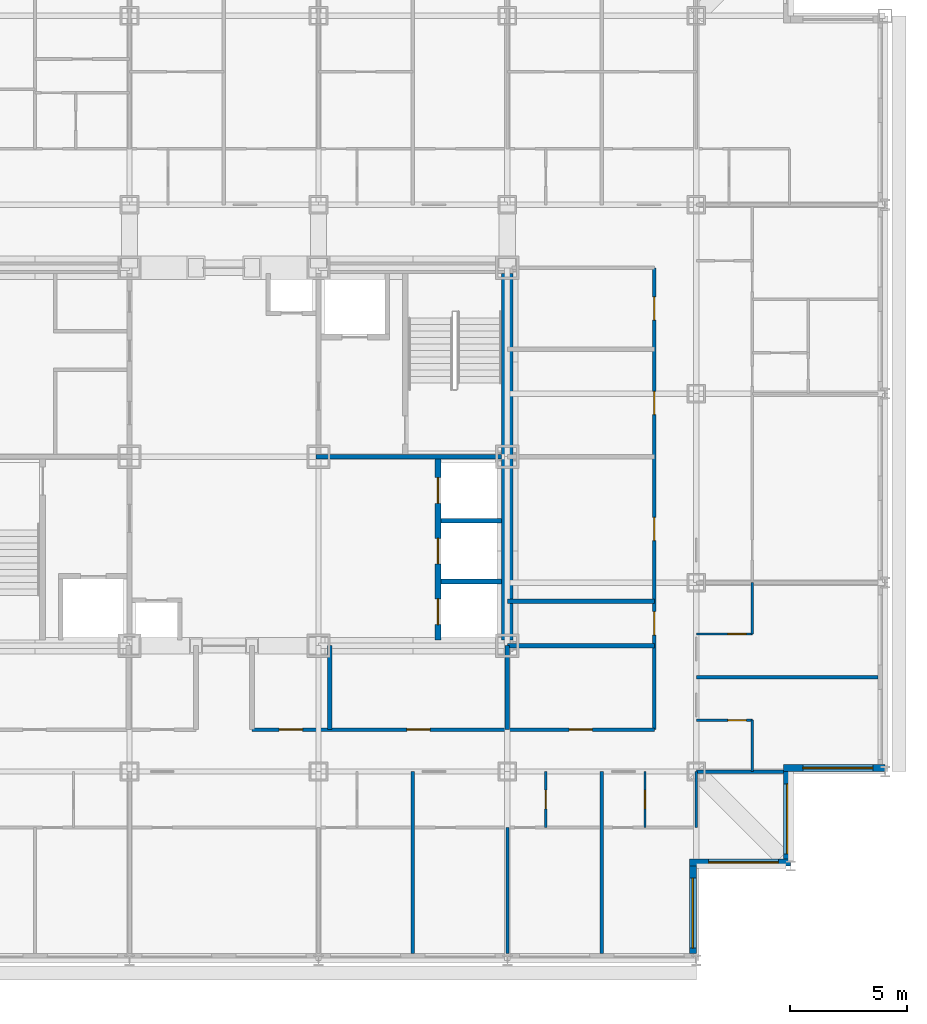
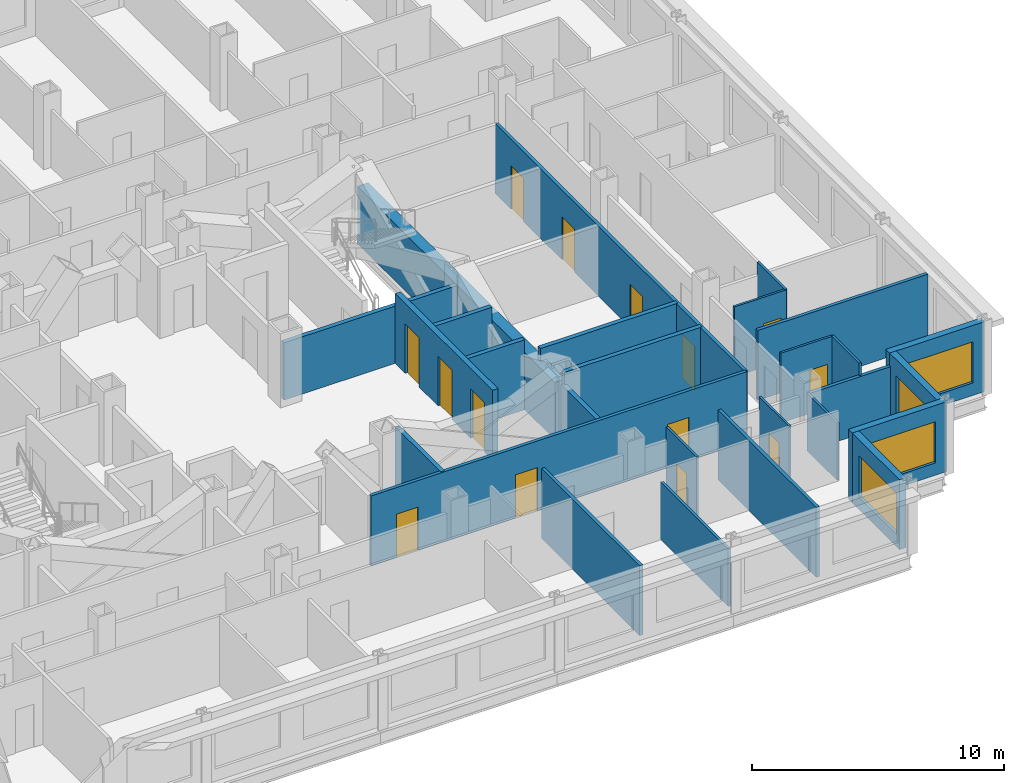
# One storey, part 7 of 12: 27 walls, 14 doors, 4 windows, 18 openings.
"""IFC4 building model written with IfcOpenShell, lengths in metres."""

from ifc_helpers import new_model, si_unit, direction, frame, frame_2d, origin, place, context, subcontext, project, spatial, rectangle, extrude, material, layer, layer_set, type_object, element, fill, save


model = new_model("IFC4")

# Units and contexts
model_context = context("Model", 3, precision=1e-05, world=origin(), true_north=direction((0.0, 1.0)))
body_context = subcontext(model_context, "Body", "Model", "MODEL_VIEW")
ifc_project = project(units=[si_unit("LENGTHUNIT", "METRE"), si_unit("AREAUNIT", "SQUARE_METRE"), si_unit("VOLUMEUNIT", "CUBIC_METRE"), si_unit("PLANEANGLEUNIT", "RADIAN"), si_unit("MASSUNIT", "GRAM", prefix="KILO")], contexts=[model_context])

# Site, building, storey
site_placement = place(None, origin())
site = spatial("IfcSite", under=ifc_project, at=site_placement, CompositionType="ELEMENT")
building_placement = place(site_placement, origin())
building = spatial("IfcBuilding", under=site, at=building_placement, Name="Kopane Lantern Tower", CompositionType="ELEMENT")
storey_placement = place(building_placement, frame((0.0, 0.0, 192.0)))
storey = spatial("IfcBuildingStorey", under=building, at=storey_placement, Name="L49", CompositionType="ELEMENT", Elevation=192.0)

# Wall
ifc_material_1 = material(Name="Gypsum board on steel studs", Category="steel")
ifc_layer_1 = layer(ifc_material_1, 0.1201171875)
ifc_layer_set_1 = layer_set([ifc_layer_1], Name="APARTMENT INTERNAL WALL 120")
wall_type_1 = type_object("IfcWallType", Name="APARTMENT INTERNAL WALL 120", PredefinedType="PARTITIONING", material=ifc_layer_set_1)
wall_1_placement = place(storey_placement, frame((40.5, 16.5, 0.0), z_axis=(0.0, 0.0, 1.0), x_axis=(0.0, -1.0, 0.0)))
element("IfcWall", 1, at=wall_1_placement, inside=storey, type_object=wall_type_1, Name="Apartment Internal Wall 120 L49", PredefinedType="PARTITIONING", context=body_context, shape_type="SweptSolid", body=[
    extrude(rectangle(XDim=5.39990234375, YDim=0.1201171875, at=frame_2d((2.699951171875, 0.0))), origin(), (0.0, 0.0, 1.0), 2.77783203125),
])

# Wall, opening, door
ifc_material_2 = material(Name="Moisture-resistant board on steel studs", Category="steel")
ifc_layer_2 = layer(ifc_material_2, 0.10009765625)
ifc_layer_set_2 = layer_set([ifc_layer_2], Name="BATHROOM WALL 100")
wall_type_2 = type_object("IfcWallType", Name="BATHROOM WALL 100", PredefinedType="PARTITIONING", material=ifc_layer_set_2)
wall_2_placement = place(storey_placement, frame((42.14990234375, 18.89990234375, 0.0), z_axis=(0.0, 0.0, 1.0), x_axis=(0.0, -1.0, 0.0)))
wall_2 = element("IfcWall", 2, at=wall_2_placement, inside=storey, type_object=wall_type_2, Name="Bathroom Wall 100 L49", PredefinedType="PARTITIONING", context=body_context, shape_type="SweptSolid", body=[
    extrude(rectangle(XDim=2.39990234375, YDim=0.10009765625, at=frame_2d((1.199951171875, 0.0))), origin(), (0.0, 0.0, 1.0), 3.389892578125),
])
opening_1_placement = place(wall_2_placement, frame((0.800048828125, 0.0, 0.0)))
opening_1 = element("IfcOpeningElement", 3, at=opening_1_placement, cuts=wall_2, Name="Opening L49-022", PredefinedType="OPENING", context=body_context, shape_type="SweptSolid", body=[
    extrude(rectangle(XDim=0.800048828125, YDim=2.10009765625, at=frame_2d((0.39990234375, 1.050048828125))), frame((0.0, 0.06005859375, 0.0), z_axis=(0.0, -1.0, 0.0), x_axis=(1.0, 0.0, 0.0)), (0.0, 0.0, 1.0), 0.1201171875),
])
ifc_material_3 = material(Name="Timber door set", Category="wood")
door_type_1 = type_object("IfcDoorType", Name="DOOR D2 800x2100", OperationType="SINGLE_SWING_LEFT", PredefinedType="DOOR", material=ifc_material_3)
door_1_placement = place(opening_1_placement, origin())
door_1 = element("IfcDoor", 4, at=door_1_placement, inside=storey, type_object=door_type_1, Name="Door L49-022", OperationType="SINGLE_SWING_LEFT", OverallHeight=2.10009765625, OverallWidth=0.800048828125, PredefinedType="DOOR", context=body_context, shape_type="SweptSolid", body=[
    extrude(rectangle(XDim=0.800048828125, YDim=2.10009765625, at=frame_2d((0.39990234375, 1.050048828125))), frame((0.0, 0.02490234375, 0.0), z_axis=(0.0, -1.0, 0.0), x_axis=(1.0, 0.0, 0.0)), (0.0, 0.0, 1.0), 0.050048828125),
])
fill(opening_1, door_1)

# Wall
wall_3_placement = place(storey_placement, frame((51.0, 18.89990234375, 0.0), z_axis=(0.0, 0.0, 1.0), x_axis=(0.0, 1.0, 0.0)))
element("IfcWall", 5, at=wall_3_placement, inside=storey, type_object=wall_type_2, Name="Bathroom Wall 100 L49", PredefinedType="PARTITIONING", context=body_context, shape_type="SweptSolid", body=[
    extrude(rectangle(XDim=2.2001953125, YDim=0.10009765625, at=frame_2d((1.10009765625, 0.0))), origin(), (0.0, 0.0, 1.0), 3.389892578125),
])

# Wall, opening, door
wall_4_placement = place(storey_placement, frame((48.60009765625, 21.10009765625, 0.0), z_axis=(0.0, 0.0, 1.0), x_axis=(1.0, 0.0, 0.0)))
wall_4 = element("IfcWall", 6, at=wall_4_placement, inside=storey, type_object=wall_type_2, Name="Bathroom Wall 100 L49", PredefinedType="PARTITIONING", context=body_context, shape_type="SweptSolid", body=[
    extrude(rectangle(XDim=2.39990234375, YDim=0.10009765625, at=frame_2d((1.199951171875, 0.0))), origin(), (0.0, 0.0, 1.0), 3.389892578125),
])
opening_2_placement = place(wall_4_placement, frame((1.35009765625, 0.0, 0.0)))
opening_2 = element("IfcOpeningElement", 7, at=opening_2_placement, cuts=wall_4, Name="Opening L49-052", PredefinedType="OPENING", context=body_context, shape_type="SweptSolid", body=[
    extrude(rectangle(XDim=0.800048828125, YDim=2.10009765625, at=frame_2d((0.39990234375, 1.050048828125))), frame((0.0, 0.06005859375, 0.0), z_axis=(0.0, -1.0, 0.0), x_axis=(1.0, 0.0, 0.0)), (0.0, 0.0, 1.0), 0.1201171875),
])
door_2_placement = place(opening_2_placement, origin())
door_2 = element("IfcDoor", 8, at=door_2_placement, inside=storey, type_object=door_type_1, Name="Door L49-052", OperationType="SINGLE_SWING_LEFT", OverallHeight=2.10009765625, OverallWidth=0.800048828125, PredefinedType="DOOR", context=body_context, shape_type="SweptSolid", body=[
    extrude(rectangle(XDim=0.800048828125, YDim=2.10009765625, at=frame_2d((0.39990234375, 1.050048828125))), frame((0.0, 0.02490234375, 0.0), z_axis=(0.0, -1.0, 0.0), x_axis=(1.0, 0.0, 0.0)), (0.0, 0.0, 1.0), 0.050048828125),
])
fill(opening_2, door_2)

# Wall
wall_5_placement = place(storey_placement, frame((51.0, 24.800048828125, 0.0), z_axis=(0.0, 0.0, 1.0), x_axis=(0.0, 1.0, 0.0)))
element("IfcWall", 9, at=wall_5_placement, inside=storey, type_object=wall_type_2, Name="Bathroom Wall 100 L49", PredefinedType="PARTITIONING", context=body_context, shape_type="SweptSolid", body=[
    extrude(rectangle(XDim=2.199951171875, YDim=0.10009765625, at=frame_2d((1.10009765625, 0.0))), origin(), (0.0, 0.0, 1.0), 3.389892578125),
])

# Wall, opening, door
wall_6_placement = place(storey_placement, frame((48.60009765625, 24.800048828125, 0.0), z_axis=(0.0, 0.0, 1.0), x_axis=(1.0, 0.0, 0.0)))
wall_6 = element("IfcWall", 10, at=wall_6_placement, inside=storey, type_object=wall_type_2, Name="Bathroom Wall 100 L49", PredefinedType="PARTITIONING", context=body_context, shape_type="SweptSolid", body=[
    extrude(rectangle(XDim=2.39990234375, YDim=0.10009765625, at=frame_2d((1.199951171875, 0.0))), origin(), (0.0, 0.0, 1.0), 3.389892578125),
])
opening_3_placement = place(wall_6_placement, frame((1.35009765625, 0.0, 0.0)))
opening_3 = element("IfcOpeningElement", 11, at=opening_3_placement, cuts=wall_6, Name="Opening L49-054", PredefinedType="OPENING", context=body_context, shape_type="SweptSolid", body=[
    extrude(rectangle(XDim=0.800048828125, YDim=2.10009765625, at=frame_2d((0.39990234375, 1.050048828125))), frame((0.0, 0.06005859375, 0.0), z_axis=(0.0, -1.0, 0.0), x_axis=(1.0, 0.0, 0.0)), (0.0, 0.0, 1.0), 0.1201171875),
])
door_3_placement = place(opening_3_placement, origin())
door_3 = element("IfcDoor", 12, at=door_3_placement, inside=storey, type_object=door_type_1, Name="Door L49-054", OperationType="SINGLE_SWING_RIGHT", OverallHeight=2.10009765625, OverallWidth=0.800048828125, PredefinedType="DOOR", context=body_context, shape_type="SweptSolid", body=[
    extrude(rectangle(XDim=0.800048828125, YDim=2.10009765625, at=frame_2d((0.39990234375, 1.050048828125))), frame((0.0, 0.02490234375, 0.0), z_axis=(0.0, -1.0, 0.0), x_axis=(1.0, 0.0, 0.0)), (0.0, 0.0, 1.0), 0.050048828125),
])
fill(opening_3, door_3)

wall_7_placement = place(storey_placement, frame((46.39990234375, 18.89990234375, 0.0), z_axis=(0.0, 0.0, 1.0), x_axis=(0.0, -1.0, 0.0)))
wall_7 = element("IfcWall", 13, at=wall_7_placement, inside=storey, type_object=wall_type_2, Name="Bathroom Wall 100 L49", PredefinedType="PARTITIONING", context=body_context, shape_type="SweptSolid", body=[
    extrude(rectangle(XDim=2.39990234375, YDim=0.10009765625, at=frame_2d((1.199951171875, 0.0))), origin(), (0.0, 0.0, 1.0), 3.389892578125),
])
opening_4_placement = place(wall_7_placement, frame((0.800048828125, 0.0, 0.0)))
opening_4 = element("IfcOpeningElement", 14, at=opening_4_placement, cuts=wall_7, Name="Opening L49-065", PredefinedType="OPENING", context=body_context, shape_type="SweptSolid", body=[
    extrude(rectangle(XDim=0.800048828125, YDim=2.10009765625, at=frame_2d((0.39990234375, 1.050048828125))), frame((0.0, 0.06005859375, 0.0), z_axis=(0.0, -1.0, 0.0), x_axis=(1.0, 0.0, 0.0)), (0.0, 0.0, 1.0), 0.1201171875),
])
door_4_placement = place(opening_4_placement, origin())
door_4 = element("IfcDoor", 15, at=door_4_placement, inside=storey, type_object=door_type_1, Name="Door L49-065", OperationType="SINGLE_SWING_LEFT", OverallHeight=2.10009765625, OverallWidth=0.800048828125, PredefinedType="DOOR", context=body_context, shape_type="SweptSolid", body=[
    extrude(rectangle(XDim=0.800048828125, YDim=2.10009765625, at=frame_2d((0.39990234375, 1.050048828125))), frame((0.0, 0.02490234375, 0.0), z_axis=(0.0, -1.0, 0.0), x_axis=(1.0, 0.0, 0.0)), (0.0, 0.0, 1.0), 0.050048828125),
])
fill(opening_4, door_4)

# Walls
wall_8_placement = place(storey_placement, frame((48.60009765625, 18.89990234375, 0.0), z_axis=(0.0, 0.0, 1.0), x_axis=(0.0, -1.0, 0.0)))
element("IfcWall", 16, at=wall_8_placement, inside=storey, type_object=wall_type_2, Name="Bathroom Wall 100 L49", PredefinedType="PARTITIONING", context=body_context, shape_type="SweptSolid", body=[
    extrude(rectangle(XDim=2.39990234375, YDim=0.10009765625, at=frame_2d((1.199951171875, 0.0))), origin(), (0.0, 0.0, 1.0), 2.77783203125),
])
ifc_material_4 = material(Name="Gypsum shaft wall EI 120", Category="gypsum")
ifc_layer_3 = layer(ifc_material_4, 0.5)
ifc_layer_set_3 = layer_set([ifc_layer_3], Name="CORE PERIMETER WALL 500 EI 120")
wall_type_3 = type_object("IfcWallType", Name="CORE PERIMETER WALL 500 EI 120", PredefinedType="SOLIDWALL", material=ifc_layer_set_3)
wall_9_placement = place(storey_placement, frame((40.5, 24.550048828125, 0.0), z_axis=(0.0, 0.0, 1.0), x_axis=(0.0, 1.0, 0.0)))
element("IfcWall", 17, at=wall_9_placement, inside=storey, type_object=wall_type_3, Name="Core shaft wall L49 PE", PredefinedType="SOLIDWALL", context=body_context, shape_type="SweptSolid", body=[
    extrude(rectangle(XDim=15.699951171875, YDim=0.5, at=frame_2d((7.85009765625, 0.0))), origin(), (0.0, 0.0, 1.0), 2.77783203125),
])

# Wall, openings, doors
ifc_material_5 = material(Name="Gypsum shaft wall EI 120", Category="gypsum")
ifc_layer_4 = layer(ifc_material_5, 0.25)
ifc_layer_set_4 = layer_set([ifc_layer_4], Name="CORE SHAFT WALL 250 EI 120")
wall_type_4 = type_object("IfcWallType", Name="CORE SHAFT WALL 250 EI 120", PredefinedType="SOLIDWALL", material=ifc_layer_set_4)
wall_10_placement = place(storey_placement, frame((37.52490234375, 24.550048828125, 0.0), z_axis=(0.0, 0.0, 1.0), x_axis=(0.0, 1.0, 0.0)))
wall_10 = element("IfcWall", 18, at=wall_10_placement, inside=storey, type_object=wall_type_4, Name="Core shaft wall L49 XLR", PredefinedType="SOLIDWALL", context=body_context, shape_type="SweptSolid", body=[
    extrude(rectangle(XDim=7.75, YDim=0.25, at=frame_2d((3.875, 0.0))), origin(), (0.0, 0.0, 1.0), 3.389892578125),
])
opening_5_placement = place(wall_10_placement, frame((0.64990234375, 0.0, 0.0)))
opening_5 = element("IfcOpeningElement", 19, at=opening_5_placement, cuts=wall_10, Name="Opening 49.LD-LR1", PredefinedType="OPENING", context=body_context, shape_type="SweptSolid", body=[
    extrude(rectangle(XDim=1.10009765625, YDim=2.39990234375, at=frame_2d((0.550048828125, 1.199951171875))), frame((0.0, 0.135009765625, 0.0), z_axis=(0.0, -1.0, 0.0), x_axis=(1.0, 0.0, 0.0)), (0.0, 0.0, 1.0), 0.27001953125),
])
opening_6_placement = place(wall_10_placement, frame((3.25, 0.0, 0.0)))
opening_6 = element("IfcOpeningElement", 20, at=opening_6_placement, cuts=wall_10, Name="Opening 49.LD-LR2", PredefinedType="OPENING", context=body_context, shape_type="SweptSolid", body=[
    extrude(rectangle(XDim=1.10009765625, YDim=2.39990234375, at=frame_2d((0.550048828125, 1.199951171875))), frame((0.0, 0.135009765625, 0.0), z_axis=(0.0, -1.0, 0.0), x_axis=(1.0, 0.0, 0.0)), (0.0, 0.0, 1.0), 0.27001953125),
])
opening_7_placement = place(wall_10_placement, frame((5.85009765625, 0.0, 0.0)))
opening_7 = element("IfcOpeningElement", 21, at=opening_7_placement, cuts=wall_10, Name="Opening 49.LD-LR3", PredefinedType="OPENING", context=body_context, shape_type="SweptSolid", body=[
    extrude(rectangle(XDim=1.10009765625, YDim=2.39990234375, at=frame_2d((0.550048828125, 1.199951171875))), frame((0.0, 0.135009765625, 0.0), z_axis=(0.0, -1.0, 0.0), x_axis=(1.0, 0.0, 0.0)), (0.0, 0.0, 1.0), 0.27001953125),
])
ifc_material_6 = material(Name="Steel door set", Category="steel")
door_type_2 = type_object("IfcDoorType", Name="LIFT LANDING DOOR 1100x2400 FD60", OperationType="DOUBLE_DOOR_SLIDING", PredefinedType="DOOR", material=ifc_material_6)
door_5_placement = place(opening_5_placement, origin())
door_5 = element("IfcDoor", 22, at=door_5_placement, inside=storey, type_object=door_type_2, Name="Landing door LR1 L49", OperationType="DOUBLE_DOOR_SLIDING", OverallHeight=2.39990234375, OverallWidth=1.10009765625, PredefinedType="DOOR", context=body_context, shape_type="SweptSolid", body=[
    extrude(rectangle(XDim=1.10009765625, YDim=2.39990234375, at=frame_2d((0.550048828125, 1.199951171875))), frame((0.0, 0.02490234375, 0.0), z_axis=(0.0, -1.0, 0.0), x_axis=(1.0, 0.0, 0.0)), (0.0, 0.0, 1.0), 0.050048828125),
])
fill(opening_5, door_5)
door_6_placement = place(opening_6_placement, origin())
door_6 = element("IfcDoor", 23, at=door_6_placement, inside=storey, type_object=door_type_2, Name="Landing door LR2 L49", OperationType="DOUBLE_DOOR_SLIDING", OverallHeight=2.39990234375, OverallWidth=1.10009765625, PredefinedType="DOOR", context=body_context, shape_type="SweptSolid", body=[
    extrude(rectangle(XDim=1.10009765625, YDim=2.39990234375, at=frame_2d((0.550048828125, 1.199951171875))), frame((0.0, 0.02490234375, 0.0), z_axis=(0.0, -1.0, 0.0), x_axis=(1.0, 0.0, 0.0)), (0.0, 0.0, 1.0), 0.050048828125),
])
fill(opening_6, door_6)
door_7_placement = place(opening_7_placement, origin())
door_7 = element("IfcDoor", 24, at=door_7_placement, inside=storey, type_object=door_type_2, Name="Landing door LR3 L49", OperationType="DOUBLE_DOOR_SLIDING", OverallHeight=2.39990234375, OverallWidth=1.10009765625, PredefinedType="DOOR", context=body_context, shape_type="SweptSolid", body=[
    extrude(rectangle(XDim=1.10009765625, YDim=2.39990234375, at=frame_2d((0.550048828125, 1.199951171875))), frame((0.0, 0.02490234375, 0.0), z_axis=(0.0, -1.0, 0.0), x_axis=(1.0, 0.0, 0.0)), (0.0, 0.0, 1.0), 0.050048828125),
])
fill(opening_7, door_7)

ifc_material_7 = material(Name="Gypsum board on steel studs", Category="steel")
ifc_layer_5 = layer(ifc_material_7, 0.14990234375)
ifc_layer_set_5 = layer_set([ifc_layer_5], Name="CORRIDOR WALL 150 EI 60")
wall_type_5 = type_object("IfcWallType", Name="CORRIDOR WALL 150 EI 60", PredefinedType="PARTITIONING", material=ifc_layer_set_5)
wall_11_placement = place(storey_placement, frame((46.800048828125, 20.699951171875, 0.0), z_axis=(0.0, 0.0, 1.0), x_axis=(0.0, 1.0, 0.0)))
wall_11 = element("IfcWall", 25, at=wall_11_placement, inside=storey, type_object=wall_type_5, Name="Corridor Wall 150 Ei 60 L49", PredefinedType="PARTITIONING", context=body_context, shape_type="SweptSolid", body=[
    extrude(rectangle(XDim=19.800048828125, YDim=0.14990234375, at=frame_2d((9.89990234375, 0.0))), origin(), (0.0, 0.0, 1.0), 3.389892578125),
])
opening_8_placement = place(wall_11_placement, frame((4.052490234375, 0.0, 0.0)))
opening_8 = element("IfcOpeningElement", 26, at=opening_8_placement, cuts=wall_11, Name="Opening L49-003", PredefinedType="OPENING", context=body_context, shape_type="SweptSolid", body=[
    extrude(rectangle(XDim=1.0, YDim=2.10009765625, at=frame_2d((0.5, 1.050048828125))), frame((0.0, 0.0849609375, 0.0), z_axis=(0.0, -1.0, 0.0), x_axis=(1.0, 0.0, 0.0)), (0.0, 0.0, 1.0), 0.169921875),
])
opening_9_placement = place(wall_11_placement, frame((8.102294921875, 0.0, 0.0)))
opening_9 = element("IfcOpeningElement", 27, at=opening_9_placement, cuts=wall_11, Name="Opening L49-004", PredefinedType="OPENING", context=body_context, shape_type="SweptSolid", body=[
    extrude(rectangle(XDim=1.0, YDim=2.10009765625, at=frame_2d((0.5, 1.050048828125))), frame((0.0, 0.0849609375, 0.0), z_axis=(0.0, -1.0, 0.0), x_axis=(1.0, 0.0, 0.0)), (0.0, 0.0, 1.0), 0.169921875),
])
opening_10_placement = place(wall_11_placement, frame((13.501708984375, 0.0, 0.0)))
opening_10 = element("IfcOpeningElement", 28, at=opening_10_placement, cuts=wall_11, Name="Opening L49-005", PredefinedType="OPENING", context=body_context, shape_type="SweptSolid", body=[
    extrude(rectangle(XDim=1.0, YDim=2.10009765625, at=frame_2d((0.5, 1.050048828125))), frame((0.0, 0.0849609375, 0.0), z_axis=(0.0, -1.0, 0.0), x_axis=(1.0, 0.0, 0.0)), (0.0, 0.0, 1.0), 0.169921875),
])
opening_11_placement = place(wall_11_placement, frame((17.551513671875, 0.0, 0.0)))
opening_11 = element("IfcOpeningElement", 29, at=opening_11_placement, cuts=wall_11, Name="Opening L49-006", PredefinedType="OPENING", context=body_context, shape_type="SweptSolid", body=[
    extrude(rectangle(XDim=1.0, YDim=2.10009765625, at=frame_2d((0.5, 1.050048828125))), frame((0.0, 0.0849609375, 0.0), z_axis=(0.0, -1.0, 0.0), x_axis=(1.0, 0.0, 0.0)), (0.0, 0.0, 1.0), 0.169921875),
])
ifc_material_8 = material(Name="Steel door set", Category="steel")
door_type_3 = type_object("IfcDoorType", Name="DOOR D5 1000x2100 FD60", OperationType="SINGLE_SWING_LEFT", PredefinedType="DOOR", material=ifc_material_8)
door_8_placement = place(opening_8_placement, origin())
door_8 = element("IfcDoor", 30, at=door_8_placement, inside=storey, type_object=door_type_3, Name="Door L49-003", OperationType="SINGLE_SWING_LEFT", OverallHeight=2.10009765625, OverallWidth=1.0, PredefinedType="DOOR", context=body_context, shape_type="SweptSolid", body=[
    extrude(rectangle(XDim=1.0, YDim=2.10009765625, at=frame_2d((0.5, 1.050048828125))), frame((0.0, 0.02490234375, 0.0), z_axis=(0.0, -1.0, 0.0), x_axis=(1.0, 0.0, 0.0)), (0.0, 0.0, 1.0), 0.050048828125),
])
fill(opening_8, door_8)
door_9_placement = place(opening_9_placement, origin())
door_9 = element("IfcDoor", 31, at=door_9_placement, inside=storey, type_object=door_type_3, Name="Door L49-004", OperationType="SINGLE_SWING_RIGHT", OverallHeight=2.10009765625, OverallWidth=1.0, PredefinedType="DOOR", context=body_context, shape_type="SweptSolid", body=[
    extrude(rectangle(XDim=1.0, YDim=2.10009765625, at=frame_2d((0.5, 1.050048828125))), frame((0.0, 0.02490234375, 0.0), z_axis=(0.0, -1.0, 0.0), x_axis=(1.0, 0.0, 0.0)), (0.0, 0.0, 1.0), 0.050048828125),
])
fill(opening_9, door_9)
door_10_placement = place(opening_10_placement, origin())
door_10 = element("IfcDoor", 32, at=door_10_placement, inside=storey, type_object=door_type_3, Name="Door L49-005", OperationType="SINGLE_SWING_LEFT", OverallHeight=2.10009765625, OverallWidth=1.0, PredefinedType="DOOR", context=body_context, shape_type="SweptSolid", body=[
    extrude(rectangle(XDim=1.0, YDim=2.10009765625, at=frame_2d((0.5, 1.050048828125))), frame((0.0, 0.02490234375, 0.0), z_axis=(0.0, -1.0, 0.0), x_axis=(1.0, 0.0, 0.0)), (0.0, 0.0, 1.0), 0.050048828125),
])
fill(opening_10, door_10)
door_11_placement = place(opening_11_placement, origin())
door_11 = element("IfcDoor", 33, at=door_11_placement, inside=storey, type_object=door_type_3, Name="Door L49-006", OperationType="SINGLE_SWING_RIGHT", OverallHeight=2.10009765625, OverallWidth=1.0, PredefinedType="DOOR", context=body_context, shape_type="SweptSolid", body=[
    extrude(rectangle(XDim=1.0, YDim=2.10009765625, at=frame_2d((0.5, 1.050048828125))), frame((0.0, 0.02490234375, 0.0), z_axis=(0.0, -1.0, 0.0), x_axis=(1.0, 0.0, 0.0)), (0.0, 0.0, 1.0), 0.050048828125),
])
fill(opening_11, door_11)

wall_12_placement = place(storey_placement, frame((29.56005859375, 20.699951171875, 0.0), z_axis=(0.0, 0.0, 1.0), x_axis=(1.0, 0.0, 0.0)))
wall_12 = element("IfcWall", 34, at=wall_12_placement, inside=storey, type_object=wall_type_5, Name="Corridor Wall 150 Ei 60 L49", PredefinedType="PARTITIONING", context=body_context, shape_type="SweptSolid", body=[
    extrude(rectangle(XDim=17.239990234375, YDim=0.14990234375, at=frame_2d((8.6201171875, 0.0))), origin(), (0.0, 0.0, 1.0), 3.389892578125),
])
opening_12_placement = place(wall_12_placement, frame((1.15673828125, 0.0, 0.0)))
opening_12 = element("IfcOpeningElement", 35, at=opening_12_placement, cuts=wall_12, Name="Opening L49-011", PredefinedType="OPENING", context=body_context, shape_type="SweptSolid", body=[
    extrude(rectangle(XDim=1.0, YDim=2.10009765625, at=frame_2d((0.5, 1.050048828125))), frame((0.0, 0.0849609375, 0.0), z_axis=(0.0, -1.0, 0.0), x_axis=(1.0, 0.0, 0.0)), (0.0, 0.0, 1.0), 0.169921875),
])
opening_13_placement = place(wall_12_placement, frame((6.631591796875, 0.0, 0.0)))
opening_13 = element("IfcOpeningElement", 36, at=opening_13_placement, cuts=wall_12, Name="Opening L49-012", PredefinedType="OPENING", context=body_context, shape_type="SweptSolid", body=[
    extrude(rectangle(XDim=1.0, YDim=2.10009765625, at=frame_2d((0.5, 1.050048828125))), frame((0.0, 0.0849609375, 0.0), z_axis=(0.0, -1.0, 0.0), x_axis=(1.0, 0.0, 0.0)), (0.0, 0.0, 1.0), 0.169921875),
])
opening_14_placement = place(wall_12_placement, frame((13.590087890625, 0.0, 0.0)))
opening_14 = element("IfcOpeningElement", 37, at=opening_14_placement, cuts=wall_12, Name="Opening L49-013", PredefinedType="OPENING", context=body_context, shape_type="SweptSolid", body=[
    extrude(rectangle(XDim=1.0, YDim=2.10009765625, at=frame_2d((0.5, 1.050048828125))), frame((0.0, 0.0849609375, 0.0), z_axis=(0.0, -1.0, 0.0), x_axis=(1.0, 0.0, 0.0)), (0.0, 0.0, 1.0), 0.169921875),
])
door_12_placement = place(opening_12_placement, origin())
door_12 = element("IfcDoor", 38, at=door_12_placement, inside=storey, type_object=door_type_3, Name="Door L49-011", OperationType="SINGLE_SWING_LEFT", OverallHeight=2.10009765625, OverallWidth=1.0, PredefinedType="DOOR", context=body_context, shape_type="SweptSolid", body=[
    extrude(rectangle(XDim=1.0, YDim=2.10009765625, at=frame_2d((0.5, 1.050048828125))), frame((0.0, 0.02490234375, 0.0), z_axis=(0.0, -1.0, 0.0), x_axis=(1.0, 0.0, 0.0)), (0.0, 0.0, 1.0), 0.050048828125),
])
fill(opening_12, door_12)
door_13_placement = place(opening_13_placement, origin())
door_13 = element("IfcDoor", 39, at=door_13_placement, inside=storey, type_object=door_type_3, Name="Door L49-012", OperationType="SINGLE_SWING_RIGHT", OverallHeight=2.10009765625, OverallWidth=1.0, PredefinedType="DOOR", context=body_context, shape_type="SweptSolid", body=[
    extrude(rectangle(XDim=1.0, YDim=2.10009765625, at=frame_2d((0.5, 1.050048828125))), frame((0.0, 0.02490234375, 0.0), z_axis=(0.0, -1.0, 0.0), x_axis=(1.0, 0.0, 0.0)), (0.0, 0.0, 1.0), 0.050048828125),
])
fill(opening_13, door_13)
door_14_placement = place(opening_14_placement, origin())
door_14 = element("IfcDoor", 40, at=door_14_placement, inside=storey, type_object=door_type_3, Name="Door L49-013", OperationType="SINGLE_SWING_LEFT", OverallHeight=2.10009765625, OverallWidth=1.0, PredefinedType="DOOR", context=body_context, shape_type="SweptSolid", body=[
    extrude(rectangle(XDim=1.0, YDim=2.10009765625, at=frame_2d((0.5, 1.050048828125))), frame((0.0, 0.02490234375, 0.0), z_axis=(0.0, -1.0, 0.0), x_axis=(1.0, 0.0, 0.0)), (0.0, 0.0, 1.0), 0.050048828125),
])
fill(opening_14, door_14)

# Walls
ifc_material_9 = material(Name="Gypsum board on steel studs", Category="steel")
ifc_layer_6 = layer(ifc_material_9, 0.14990234375)
ifc_layer_set_6 = layer_set([ifc_layer_6], Name="DEMISING WALL 150 EI 60")
wall_type_6 = type_object("IfcWallType", Name="DEMISING WALL 150 EI 60", PredefinedType="PARTITIONING", material=ifc_layer_set_6)
for number, where, z_axis, x_axis, name in (
    (41, (36.449951171875, 18.89990234375, 0.0), (0.0, 0.0, 1.0), (0.0, -1.0, 0.0), "Demising Wall 150 Ei 60 L49"),
    (42, (48.60009765625, 22.949951171875, 0.0), (0.0, 0.0, 1.0), (1.0, 0.0, 0.0), "Demising Wall 150 Ei 60 L49"),
):
    element("IfcWall", number, at=place(storey_placement, frame(where, z_axis=z_axis, x_axis=x_axis)), inside=storey, type_object=wall_type_6, Name=name, PredefinedType="PARTITIONING", context=body_context, shape_type="SweptSolid", body=[
        extrude(rectangle(XDim=7.7998046875, YDim=0.14990234375, at=frame_2d((3.89990234375, 0.0))), origin(), (0.0, 0.0, 1.0), 3.389892578125),
    ])
wall_13_placement = place(storey_placement, frame((48.60009765625, 18.89990234375, 0.0), z_axis=(0.0, 0.0, 1.0), x_axis=(1.0, 0.0, 0.0)))
element("IfcWall", 43, at=wall_13_placement, inside=storey, type_object=wall_type_6, Name="Demising Wall 150 Ei 60 L49", PredefinedType="PARTITIONING", context=body_context, shape_type="SweptSolid", body=[
    extrude(rectangle(XDim=3.75, YDim=0.14990234375, at=frame_2d((1.875, 0.0))), origin(), (0.0, 0.0, 1.0), 2.77783203125),
])
wall_14_placement = place(storey_placement, frame((44.550048828125, 18.89990234375, 0.0), z_axis=(0.0, 0.0, 1.0), x_axis=(0.0, -1.0, 0.0)))
element("IfcWall", 44, at=wall_14_placement, inside=storey, type_object=wall_type_6, Name="Demising Wall 150 Ei 60 L49", PredefinedType="PARTITIONING", context=body_context, shape_type="SweptSolid", body=[
    extrude(rectangle(XDim=7.7998046875, YDim=0.14990234375, at=frame_2d((3.89990234375, 0.0))), origin(), (0.0, 0.0, 1.0), 3.389892578125),
])

# Wall, opening, window
ifc_material_10 = material(Name="Terracotta rainscreen on light steel framing", Category="masonry")
ifc_layer_7 = layer(ifc_material_10, 0.300048828125)
ifc_layer_set_7 = layer_set([ifc_layer_7], Name="EXTERNAL WALL EW1 300 TERRACOTTA")
wall_type_7 = type_object("IfcWallType", Name="EXTERNAL WALL EW1 300 TERRACOTTA", PredefinedType="SOLIDWALL", material=ifc_layer_set_7)
wall_15_placement = place(storey_placement, frame((48.449951171875, 11.10009765625, 0.0), z_axis=(0.0, 0.0, 1.0), x_axis=(0.0, 1.0, 0.0)))
wall_15 = element("IfcWall", 45, at=wall_15_placement, inside=storey, type_object=wall_type_7, Name="External wall E L49", PredefinedType="SOLIDWALL", context=body_context, shape_type="SweptSolid", body=[
    extrude(rectangle(XDim=3.75, YDim=0.300048828125, at=frame_2d((1.875, 0.0))), origin(), (0.0, 0.0, 1.0), 3.389892578125),
])
opening_15_placement = place(wall_15_placement, frame((0.22509765625, 0.0, 0.60009765625)))
opening_15 = element("IfcOpeningElement", 46, at=opening_15_placement, cuts=wall_15, Name="Opening WR300200", PredefinedType="OPENING", context=body_context, shape_type="SweptSolid", body=[
    extrude(rectangle(XDim=3.0, YDim=2.0, at=frame_2d((1.5, 1.0))), frame((0.0, 0.159912109375, 0.0), z_axis=(0.0, -1.0, 0.0), x_axis=(1.0, 0.0, 0.0)), (0.0, 0.0, 1.0), 0.320068359375),
])
ifc_material_11 = material(Name="Aluminium and clear glass", Category="aluminium")
window_type = type_object("IfcWindowType", Name="RIBBON WINDOW WR300200 3000x2000", PartitioningType="SINGLE_PANEL", PredefinedType="WINDOW", material=ifc_material_11)
window_1_placement = place(opening_15_placement, origin())
window_1 = element("IfcWindow", 47, at=window_1_placement, inside=storey, type_object=window_type, Name="Window E L49", OverallHeight=2.0, OverallWidth=3.0, PartitioningType="SINGLE_PANEL", PredefinedType="WINDOW", context=body_context, shape_type="SweptSolid", body=[
    extrude(rectangle(XDim=3.0, YDim=2.0, at=frame_2d((1.5, 1.0))), frame((0.0, 0.030029296875, 0.0), z_axis=(0.0, -1.0, 0.0), x_axis=(1.0, 0.0, 0.0)), (0.0, 0.0, 1.0), 0.06005859375),
])
fill(opening_15, window_1)

wall_16_placement = place(storey_placement, frame((48.300048828125, 15.0, 0.0), z_axis=(0.0, 0.0, 1.0), x_axis=(1.0, 0.0, 0.0)))
wall_16 = element("IfcWall", 48, at=wall_16_placement, inside=storey, type_object=wall_type_7, Name="External wall S L49", PredefinedType="SOLIDWALL", context=body_context, shape_type="SweptSolid", body=[
    extrude(rectangle(XDim=4.349853515625, YDim=0.300048828125, at=frame_2d((2.1748046875, 0.0))), origin(), (0.0, 0.0, 1.0), 3.389892578125),
])
opening_16_placement = place(wall_16_placement, frame((0.824951171875, 0.0, 0.60009765625)))
opening_16 = element("IfcOpeningElement", 49, at=opening_16_placement, cuts=wall_16, Name="Opening WR300200", PredefinedType="OPENING", context=body_context, shape_type="SweptSolid", body=[
    extrude(rectangle(XDim=3.0, YDim=2.0, at=frame_2d((1.5, 1.0))), frame((0.0, 0.159912109375, 0.0), z_axis=(0.0, -1.0, 0.0), x_axis=(1.0, 0.0, 0.0)), (0.0, 0.0, 1.0), 0.320068359375),
])
window_2_placement = place(opening_16_placement, origin())
window_2 = element("IfcWindow", 50, at=window_2_placement, inside=storey, type_object=window_type, Name="Window S L49", OverallHeight=2.0, OverallWidth=3.0, PartitioningType="SINGLE_PANEL", PredefinedType="WINDOW", context=body_context, shape_type="SweptSolid", body=[
    extrude(rectangle(XDim=3.0, YDim=2.0, at=frame_2d((1.5, 1.0))), frame((0.0, 0.030029296875, 0.0), z_axis=(0.0, -1.0, 0.0), x_axis=(1.0, 0.0, 0.0)), (0.0, 0.0, 1.0), 0.06005859375),
])
fill(opening_16, window_2)

wall_17_placement = place(storey_placement, frame((52.5, 15.14990234375, 0.0), z_axis=(0.0, 0.0, 1.0), x_axis=(0.0, 1.0, 0.0)))
wall_17 = element("IfcWall", 51, at=wall_17_placement, inside=storey, type_object=wall_type_7, Name="External wall E L49", PredefinedType="SOLIDWALL", context=body_context, shape_type="SweptSolid", body=[
    extrude(rectangle(XDim=3.75, YDim=0.300048828125, at=frame_2d((1.875, 0.0))), origin(), (0.0, 0.0, 1.0), 3.389892578125),
])
opening_17_placement = place(wall_17_placement, frame((0.22509765625, 0.0, 0.60009765625)))
opening_17 = element("IfcOpeningElement", 52, at=opening_17_placement, cuts=wall_17, Name="Opening WR300200", PredefinedType="OPENING", context=body_context, shape_type="SweptSolid", body=[
    extrude(rectangle(XDim=3.0, YDim=2.0, at=frame_2d((1.5, 1.0))), frame((0.0, 0.159912109375, 0.0), z_axis=(0.0, -1.0, 0.0), x_axis=(1.0, 0.0, 0.0)), (0.0, 0.0, 1.0), 0.320068359375),
])
window_3_placement = place(opening_17_placement, origin())
window_3 = element("IfcWindow", 53, at=window_3_placement, inside=storey, type_object=window_type, Name="Window E L49", OverallHeight=2.0, OverallWidth=3.0, PartitioningType="SINGLE_PANEL", PredefinedType="WINDOW", context=body_context, shape_type="SweptSolid", body=[
    extrude(rectangle(XDim=3.0, YDim=2.0, at=frame_2d((1.5, 1.0))), frame((0.0, 0.030029296875, 0.0), z_axis=(0.0, -1.0, 0.0), x_axis=(1.0, 0.0, 0.0)), (0.0, 0.0, 1.0), 0.06005859375),
])
fill(opening_17, window_3)

wall_18_placement = place(storey_placement, frame((52.35009765625, 19.050048828125, 0.0), z_axis=(0.0, 0.0, 1.0), x_axis=(1.0, 0.0, 0.0)))
wall_18 = element("IfcWall", 54, at=wall_18_placement, inside=storey, type_object=wall_type_7, Name="External wall S L49", PredefinedType="SOLIDWALL", context=body_context, shape_type="SweptSolid", body=[
    extrude(rectangle(XDim=4.349853515625, YDim=0.300048828125, at=frame_2d((2.1748046875, 0.0))), origin(), (0.0, 0.0, 1.0), 3.389892578125),
])
opening_18_placement = place(wall_18_placement, frame((0.824951171875, 0.0, 0.60009765625)))
opening_18 = element("IfcOpeningElement", 55, at=opening_18_placement, cuts=wall_18, Name="Opening WR300200", PredefinedType="OPENING", context=body_context, shape_type="SweptSolid", body=[
    extrude(rectangle(XDim=3.0, YDim=2.0, at=frame_2d((1.5, 1.0))), frame((0.0, 0.159912109375, 0.0), z_axis=(0.0, -1.0, 0.0), x_axis=(1.0, 0.0, 0.0)), (0.0, 0.0, 1.0), 0.320068359375),
])
window_4_placement = place(opening_18_placement, origin())
window_4 = element("IfcWindow", 56, at=window_4_placement, inside=storey, type_object=window_type, Name="Window S L49", OverallHeight=2.0, OverallWidth=3.0, PartitioningType="SINGLE_PANEL", PredefinedType="WINDOW", context=body_context, shape_type="SweptSolid", body=[
    extrude(rectangle(XDim=3.0, YDim=2.0, at=frame_2d((1.5, 1.0))), frame((0.0, 0.030029296875, 0.0), z_axis=(0.0, -1.0, 0.0), x_axis=(1.0, 0.0, 0.0)), (0.0, 0.0, 1.0), 0.06005859375),
])
fill(opening_18, window_4)

# Walls
ifc_material_12 = material(Name="Concrete masonry", Category="masonry")
ifc_layer_8 = layer(ifc_material_12, 0.199951171875)
ifc_layer_set_8 = layer_set([ifc_layer_8], Name="PLANT ROOM WALL 200 EI 120")
wall_type_8 = type_object("IfcWallType", Name="PLANT ROOM WALL 200 EI 120", PredefinedType="SOLIDWALL", material=ifc_layer_set_8)
wall_19_placement = place(storey_placement, frame((46.800048828125, 26.204833984375, 0.0), z_axis=(0.0, 0.0, 1.0), x_axis=(-1.0, 0.0, 0.0)))
element("IfcWall", 57, at=wall_19_placement, inside=storey, type_object=wall_type_8, Name="Plant Room Wall 200 Ei 120 L49", PredefinedType="SOLIDWALL", context=body_context, shape_type="SweptSolid", body=[
    extrude(rectangle(XDim=6.300048828125, YDim=0.199951171875, at=frame_2d((3.14990234375, 0.0))), origin(), (0.0, 0.0, 1.0), 3.389892578125),
])
wall_20_placement = place(storey_placement, frame((40.5, 20.699951171875, 0.0), z_axis=(0.0, 0.0, 1.0), x_axis=(0.0, 1.0, 0.0)))
element("IfcWall", 58, at=wall_20_placement, inside=storey, type_object=wall_type_8, Name="Plant Room Wall 200 Ei 120 L49", PredefinedType="SOLIDWALL", context=body_context, shape_type="SweptSolid", body=[
    extrude(rectangle(XDim=3.60009765625, YDim=0.199951171875, at=frame_2d((1.800048828125, 0.0))), origin(), (0.0, 0.0, 1.0), 2.77783203125),
])
wall_21_placement = place(storey_placement, frame((32.88330078125, 20.699951171875, 0.0), z_axis=(0.0, 0.0, 1.0), x_axis=(0.0, 1.0, 0.0)))
element("IfcWall", 59, at=wall_21_placement, inside=storey, type_object=wall_type_8, Name="Plant Room Wall 200 Ei 120 L49", PredefinedType="SOLIDWALL", context=body_context, shape_type="SweptSolid", body=[
    extrude(rectangle(XDim=3.60009765625, YDim=0.199951171875, at=frame_2d((1.800048828125, 0.0))), origin(), (0.0, 0.0, 1.0), 3.389892578125),
])
wall_22_placement = place(storey_placement, frame((40.5, 24.300048828125, 0.0), z_axis=(0.0, 0.0, 1.0), x_axis=(1.0, 0.0, 0.0)))
element("IfcWall", 60, at=wall_22_placement, inside=storey, type_object=wall_type_8, Name="Plant Room Wall 200 Ei 120 L49", PredefinedType="SOLIDWALL", context=body_context, shape_type="SweptSolid", body=[
    extrude(rectangle(XDim=6.300048828125, YDim=0.199951171875, at=frame_2d((3.14990234375, 0.0))), origin(), (0.0, 0.0, 1.0), 3.389892578125),
])
ifc_material_13 = material(Name="Gypsum shaft wall EI 120", Category="gypsum")
ifc_layer_9 = layer(ifc_material_13, 0.199951171875)
ifc_layer_set_9 = layer_set([ifc_layer_9], Name="SHAFT WALL 200 EI 120")
wall_type_9 = type_object("IfcWallType", Name="SHAFT WALL 200 EI 120", PredefinedType="SOLIDWALL", material=ifc_layer_set_9)
wall_23_placement = place(storey_placement, frame((32.300048828125, 32.39990234375, 0.0), z_axis=(0.0, 0.0, 1.0), x_axis=(1.0, 0.0, 0.0)))
element("IfcWall", 61, at=wall_23_placement, inside=storey, type_object=wall_type_9, Name="Core shaft wall L49 Y324E", PredefinedType="SOLIDWALL", context=body_context, shape_type="SweptSolid", body=[
    extrude(rectangle(XDim=7.949951171875, YDim=0.199951171875, at=frame_2d((3.97509765625, 0.0))), origin(), (0.0, 0.0, 1.0), 2.77783203125),
])
for number, where, z_axis, x_axis, name in (
    (62, (37.64990234375, 27.050048828125, 0.0), (0.0, 0.0, 1.0), (1.0, 0.0, 0.0), "Core shaft wall L49 YLR12"),
    (63, (37.64990234375, 29.64990234375, 0.0), (0.0, 0.0, 1.0), (1.0, 0.0, 0.0), "Core shaft wall L49 YLR23"),
):
    element("IfcWall", number, at=place(storey_placement, frame(where, z_axis=z_axis, x_axis=x_axis)), inside=storey, type_object=wall_type_9, Name=name, PredefinedType="SOLIDWALL", context=body_context, shape_type="SweptSolid", body=[
        extrude(rectangle(XDim=2.60009765625, YDim=0.199951171875, at=frame_2d((1.300048828125, 0.0))), origin(), (0.0, 0.0, 1.0), 3.389892578125),
    ])

save(model, "model.ifc")
